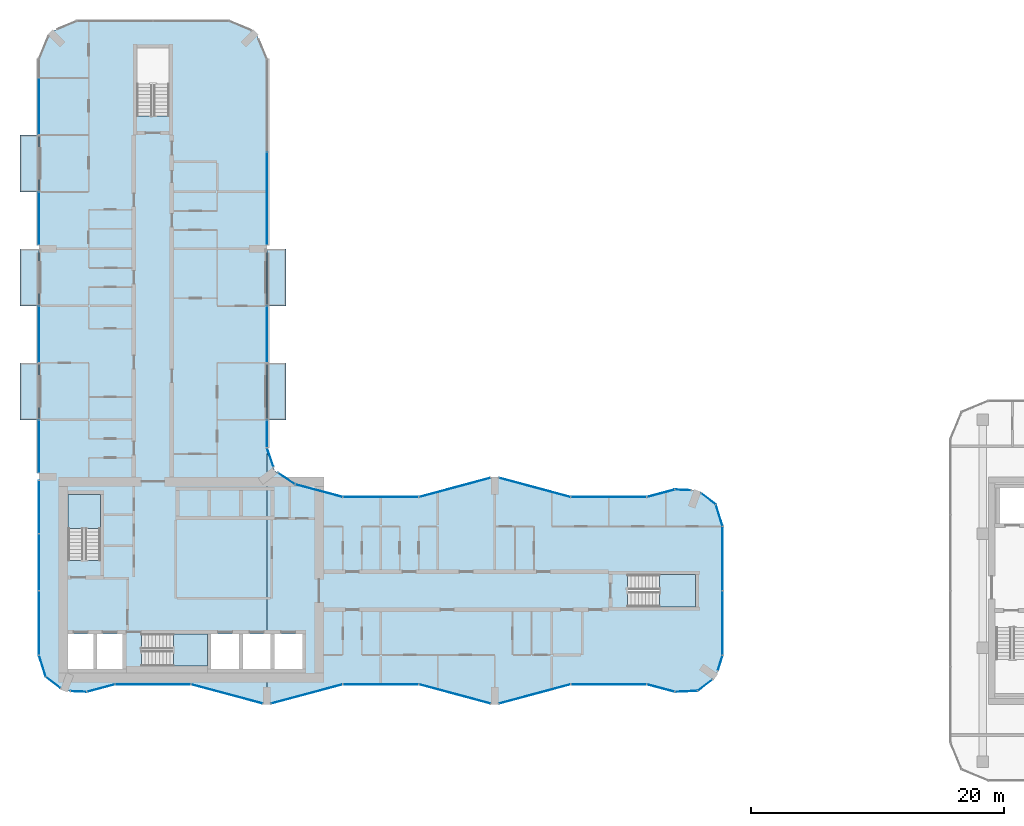
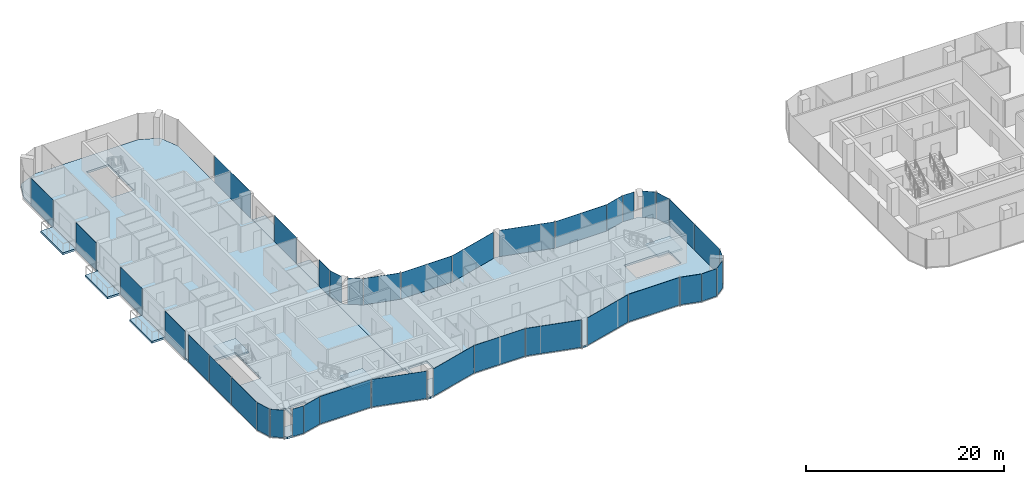
# One storey, part 11 of 23: 38 plates, 10 slabs, 38 elements without a shape of their own.
"""IFC4 building model written with IfcOpenShell, lengths in metres."""

from ifc_helpers import new_model, si_unit, direction, frame, origin, origin_2d, place, context, subcontext, project, spatial, polyline, rectangle, outline, extrude, material, layer, layer_set, type_object, element, aggregate, save


model = new_model("IFC4")

# Units and contexts
model_context = context("Model", 3, precision=1e-05, world=origin(), true_north=direction((0.0, 1.0)))
body_context = subcontext(model_context, "Body", "Model", "MODEL_VIEW")
ifc_project = project(units=[si_unit("LENGTHUNIT", "METRE"), si_unit("AREAUNIT", "SQUARE_METRE"), si_unit("VOLUMEUNIT", "CUBIC_METRE"), si_unit("PLANEANGLEUNIT", "RADIAN"), si_unit("MASSUNIT", "GRAM", prefix="KILO")], contexts=[model_context])

# Site, building, storey
site_placement = place(None, origin())
site = spatial("IfcSite", under=ifc_project, at=site_placement, CompositionType="ELEMENT")
building_placement = place(site_placement, origin())
building = spatial("IfcBuilding", under=site, at=building_placement, Name="Plateau Cross Towers", CompositionType="ELEMENT")
storey_placement = place(building_placement, frame((0.0, 0.0, 40.800048828125)))
storey = spatial("IfcBuildingStorey", under=building, at=storey_placement, Name="L09", CompositionType="ELEMENT", Elevation=40.800048828125)

# Slabs
ifc_material_1 = material(Name="Concrete C40/50", Category="concrete")
ifc_layer_1 = layer(ifc_material_1, 0.25)
ifc_layer_set_1 = layer_set([ifc_layer_1], Name="Concrete C40/50")
slab_type_1 = type_object("IfcSlabType", Name="Balcony slab 250", PredefinedType="FLOOR", material=ifc_layer_set_1)
slab_1_placement = place(storey_placement, frame((0.0, 0.0, -0.25)))
element("IfcSlab", 1, at=slab_1_placement, inside=storey, type_object=slab_type_1, Name="Balcony slab A-BAL-L09-01", PredefinedType="FLOOR", context=body_context, shape_type="SweptSolid", body=[
    extrude(outline(polyline([(0.0, 22.5), (0.0, 27.0), (-1.5, 27.0), (-1.5, 22.5), (0.0, 22.5)])), origin(), (0.0, 0.0, 1.0), 0.25),
])
slab_2_placement = place(storey_placement, frame((0.0, 0.0, -0.25)))
element("IfcSlab", 2, at=slab_2_placement, inside=storey, type_object=slab_type_1, Name="Balcony slab A-BAL-L09-02", PredefinedType="FLOOR", context=body_context, shape_type="SweptSolid", body=[
    extrude(outline(polyline([(0.0, 31.5), (0.0, 36.0), (-1.5, 36.0), (-1.5, 31.5), (0.0, 31.5)])), origin(), (0.0, 0.0, 1.0), 0.25),
])
slab_3_placement = place(storey_placement, frame((0.0, 0.0, -0.25)))
element("IfcSlab", 3, at=slab_3_placement, inside=storey, type_object=slab_type_1, Name="Balcony slab A-BAL-L09-03", PredefinedType="FLOOR", context=body_context, shape_type="SweptSolid", body=[
    extrude(outline(polyline([(0.0, 40.5), (0.0, 45.0), (-1.5, 45.0), (-1.5, 40.5), (0.0, 40.5)])), origin(), (0.0, 0.0, 1.0), 0.25),
])
slab_4_placement = place(storey_placement, frame((0.0, 0.0, -0.25)))
element("IfcSlab", 4, at=slab_4_placement, inside=storey, type_object=slab_type_1, Name="Balcony slab A-BAL-L09-04", PredefinedType="FLOOR", context=body_context, shape_type="SweptSolid", body=[
    extrude(outline(polyline([(19.5, 22.5), (19.5, 27.0), (18.0, 27.0), (18.0, 22.5), (19.5, 22.5)])), origin(), (0.0, 0.0, 1.0), 0.25),
])
slab_5_placement = place(storey_placement, frame((0.0, 0.0, -0.25)))
element("IfcSlab", 5, at=slab_5_placement, inside=storey, type_object=slab_type_1, Name="Balcony slab A-BAL-L09-05", PredefinedType="FLOOR", context=body_context, shape_type="SweptSolid", body=[
    extrude(outline(polyline([(19.5, 31.5), (19.5, 36.0), (18.0, 36.0), (18.0, 31.5), (19.5, 31.5)])), origin(), (0.0, 0.0, 1.0), 0.25),
])

# Curtain wall, plate
ifc_material_2 = material(Name="Dark low-iron glass", Category="glass")
ifc_layer_2 = layer(ifc_material_2, 0.239990234375)
ifc_layer_set_2 = layer_set([ifc_layer_2], Name="Dark low-iron glass")
curtain_wall_type_1 = type_object("IfcCurtainWallType", Name="Curtain wall flush unitised CW-B", PredefinedType="NOTDEFINED", material=ifc_layer_set_2)
curtain_wall_1_placement = place(storey_placement, origin())
curtain_wall_1 = element("IfcCurtainWall", 6, at=curtain_wall_1_placement, inside=storey, type_object=curtain_wall_type_1, Name="ENV/A/L09/A502_10", PredefinedType="NOTDEFINED")
ifc_layer_3 = layer(ifc_material_2, 0.031982421875)
ifc_layer_set_3 = layer_set([ifc_layer_3], Name="Dark low-iron glass")
plate_type_1 = type_object("IfcPlateType", Name="Glass panel 32 flush unitised", PredefinedType="CURTAIN_PANEL", material=ifc_layer_set_3)
plate_1_placement = place(storey_placement, frame((51.125, 1.05078125, -0.1298828125), z_axis=(0.0, 0.0, 1.0), x_axis=(0.999043701491, 0.043722791671, 0.0)))
plate_1 = element("IfcPlate", 7, at=plate_1_placement, type_object=plate_type_1, Name="CW-B panel 1", PredefinedType="CURTAIN_PANEL", context=body_context, shape_type="SweptSolid", body=[
    extrude(rectangle(XDim=1.744140625, YDim=0.031982421875, at=origin_2d()), origin(), (0.0, 0.0, 1.0), 3.3798828125),
])
aggregate(curtain_wall_1, [plate_1])

curtain_wall_2_placement = place(storey_placement, origin())
curtain_wall_2 = element("IfcCurtainWall", 8, at=curtain_wall_2_placement, inside=storey, type_object=curtain_wall_type_1, Name="ENV/A/L09/A520_11", PredefinedType="NOTDEFINED")
plate_2_placement = place(storey_placement, frame((52.60986328125, 1.5380859375, -0.1298828125), z_axis=(0.0, 0.0, 1.0), x_axis=(0.793315514529, 0.608810721331, 0.0)))
plate_2 = element("IfcPlate", 9, at=plate_2_placement, type_object=plate_type_1, Name="CW-B panel 1", PredefinedType="CURTAIN_PANEL", context=body_context, shape_type="SweptSolid", body=[
    extrude(rectangle(XDim=1.41162109375, YDim=0.031982421875, at=origin_2d()), origin(), (0.0, 0.0, 1.0), 3.3798828125),
])
aggregate(curtain_wall_2, [plate_2])

curtain_wall_3_placement = place(storey_placement, origin())
curtain_wall_3 = element("IfcCurtainWall", 10, at=curtain_wall_3_placement, inside=storey, type_object=curtain_wall_type_1, Name="ENV/A/L09/A536_27", PredefinedType="NOTDEFINED")
plate_3_placement = place(storey_placement, frame((53.805419921875, 3.292236328125, -0.1298828125), z_axis=(0.0, 0.0, 1.0), x_axis=(0.300686174994, 0.95372313811, 0.0)))
plate_3 = element("IfcPlate", 11, at=plate_3_placement, type_object=plate_type_1, Name="CW-B panel 1", PredefinedType="CURTAIN_PANEL", context=body_context, shape_type="SweptSolid", body=[
    extrude(rectangle(XDim=1.233642578125, YDim=0.031982421875, at=origin_2d()), origin(), (0.0, 0.0, 1.0), 3.3798828125),
])
aggregate(curtain_wall_3, [plate_3])

# Curtain wall, plates
curtain_wall_4_placement = place(storey_placement, origin())
curtain_wall_4 = element("IfcCurtainWall", 12, at=curtain_wall_4_placement, inside=storey, type_object=curtain_wall_type_1, Name="ENV/A/L09/A540_39", PredefinedType="NOTDEFINED")
plate_4_placement = place(storey_placement, frame((54.0, 6.45458984375, -0.1298828125), z_axis=(0.0, 0.0, 1.0), x_axis=(0.0, 1.0, 0.0)))
plate_4 = element("IfcPlate", 13, at=plate_4_placement, type_object=plate_type_1, Name="CW-B panel 1", PredefinedType="CURTAIN_PANEL", context=body_context, shape_type="SweptSolid", body=[
    extrude(rectangle(XDim=5.03076171875, YDim=0.031982421875, at=origin_2d()), origin(), (0.0, 0.0, 1.0), 3.3798828125),
])
plate_5_placement = place(storey_placement, frame((54.0, 11.54541015625, -0.1298828125), z_axis=(0.0, 0.0, 1.0), x_axis=(0.0, 1.0, 0.0)))
plate_5 = element("IfcPlate", 14, at=plate_5_placement, type_object=plate_type_1, Name="CW-B panel 2", PredefinedType="CURTAIN_PANEL", context=body_context, shape_type="SweptSolid", body=[
    extrude(rectangle(XDim=5.03076171875, YDim=0.031982421875, at=origin_2d()), origin(), (0.0, 0.0, 1.0), 3.3798828125),
])
aggregate(curtain_wall_4, [plate_4, plate_5])

# Curtain wall, plate
curtain_wall_5_placement = place(storey_placement, origin())
curtain_wall_5 = element("IfcCurtainWall", 15, at=curtain_wall_5_placement, inside=storey, type_object=curtain_wall_type_1, Name="ENV/A/L09/A540_141", PredefinedType="NOTDEFINED")
plate_6_placement = place(storey_placement, frame((53.728759765625, 14.951171875, -0.1298828125), z_axis=(0.0, 0.0, 1.0), x_axis=(-0.300686174994, 0.95372313811, 0.0)))
plate_6 = element("IfcPlate", 16, at=plate_6_placement, type_object=plate_type_1, Name="CW-B panel 1", PredefinedType="CURTAIN_PANEL", context=body_context, shape_type="SweptSolid", body=[
    extrude(rectangle(XDim=1.744140625, YDim=0.031982421875, at=origin_2d()), origin(), (0.0, 0.0, 1.0), 3.3798828125),
])
aggregate(curtain_wall_5, [plate_6])

curtain_wall_6_placement = place(storey_placement, origin())
curtain_wall_6 = element("IfcCurtainWall", 17, at=curtain_wall_6_placement, inside=storey, type_object=curtain_wall_type_1, Name="ENV/A/L09/A535_158", PredefinedType="NOTDEFINED")
plate_7_placement = place(storey_placement, frame((52.873779296875, 16.25927734375, -0.1298828125), z_axis=(0.0, 0.0, 1.0), x_axis=(-0.793315514529, 0.608810721331, 0.0)))
plate_7 = element("IfcPlate", 18, at=plate_7_placement, type_object=plate_type_1, Name="CW-B panel 1", PredefinedType="CURTAIN_PANEL", context=body_context, shape_type="SweptSolid", body=[
    extrude(rectangle(XDim=1.41162109375, YDim=0.031982421875, at=origin_2d()), origin(), (0.0, 0.0, 1.0), 3.3798828125),
])
aggregate(curtain_wall_6, [plate_7])

curtain_wall_7_placement = place(storey_placement, origin())
curtain_wall_7 = element("IfcCurtainWall", 19, at=curtain_wall_7_placement, inside=storey, type_object=curtain_wall_type_1, Name="ENV/A/L09/A515_169", PredefinedType="NOTDEFINED")
plate_8_placement = place(storey_placement, frame((50.8701171875, 16.96044921875, -0.1298828125), z_axis=(0.0, 0.0, 1.0), x_axis=(-0.999043701491, 0.043722791671, 0.0)))
plate_8 = element("IfcPlate", 20, at=plate_8_placement, type_object=plate_type_1, Name="CW-B panel 1", PredefinedType="CURTAIN_PANEL", context=body_context, shape_type="SweptSolid", body=[
    extrude(rectangle(XDim=1.233642578125, YDim=0.031982421875, at=origin_2d()), origin(), (0.0, 0.0, 1.0), 3.3798828125),
])
aggregate(curtain_wall_7, [plate_8])

curtain_wall_8_placement = place(storey_placement, origin())
curtain_wall_8 = element("IfcCurtainWall", 21, at=curtain_wall_8_placement, inside=storey, type_object=curtain_wall_type_1, Name="ENV/A/L09/A202_174", PredefinedType="NOTDEFINED")
plate_9_placement = place(storey_placement, frame((19.546630859375, 17.856689453125, -0.1298828125), z_axis=(0.0, 0.0, 1.0), x_axis=(-0.831521253329, 0.555492938984, 0.0)))
plate_9 = element("IfcPlate", 22, at=plate_9_placement, type_object=plate_type_1, Name="CW-B panel 1", PredefinedType="CURTAIN_PANEL", context=body_context, shape_type="SweptSolid", body=[
    extrude(rectangle(XDim=1.56884765625, YDim=0.031982421875, at=origin_2d()), origin(), (0.0, 0.0, 1.0), 3.3798828125),
])
aggregate(curtain_wall_8, [plate_9])

curtain_wall_9_placement = place(storey_placement, origin())
curtain_wall_9 = element("IfcCurtainWall", 23, at=curtain_wall_9_placement, inside=storey, type_object=curtain_wall_type_1, Name="ENV/A/L09/A185_188", PredefinedType="NOTDEFINED")
plate_10_placement = place(storey_placement, frame((18.26171875, 19.531005859375, -0.1298828125), z_axis=(0.0, 0.0, 1.0), x_axis=(-0.321469161574, 0.94692004845, 0.0)))
plate_10 = element("IfcPlate", 24, at=plate_10_placement, type_object=plate_type_1, Name="CW-B panel 1", PredefinedType="CURTAIN_PANEL", context=body_context, shape_type="SweptSolid", body=[
    extrude(rectangle(XDim=1.56884765625, YDim=0.031982421875, at=origin_2d()), origin(), (0.0, 0.0, 1.0), 3.3798828125),
])
aggregate(curtain_wall_9, [plate_10])

curtain_wall_10_placement = place(storey_placement, origin())
curtain_wall_10 = element("IfcCurtainWall", 25, at=curtain_wall_10_placement, inside=storey, type_object=curtain_wall_type_1, Name="ENV/A/L09/A180_203", PredefinedType="NOTDEFINED")
plate_11_placement = place(storey_placement, frame((18.0, 21.396240234375, -0.1298828125), z_axis=(0.0, 0.0, 1.0), x_axis=(0.0, 1.0, 0.0)))
plate_11 = element("IfcPlate", 26, at=plate_11_placement, type_object=plate_type_1, Name="CW-B panel 1", PredefinedType="CURTAIN_PANEL", context=body_context, shape_type="SweptSolid", body=[
    extrude(rectangle(XDim=2.127685546875, YDim=0.031982421875, at=origin_2d()), origin(), (0.0, 0.0, 1.0), 3.3798828125),
])
aggregate(curtain_wall_10, [plate_11])

curtain_wall_11_placement = place(storey_placement, origin())
curtain_wall_11 = element("IfcCurtainWall", 27, at=curtain_wall_11_placement, inside=storey, type_object=curtain_wall_type_1, Name="ENV/A/L09/A180_270", PredefinedType="NOTDEFINED")
plate_12_placement = place(storey_placement, frame((18.0, 29.25, -0.1298828125), z_axis=(0.0, 0.0, 1.0), x_axis=(0.0, 1.0, 0.0)))
plate_12 = element("IfcPlate", 28, at=plate_12_placement, type_object=plate_type_1, Name="CW-B panel 1", PredefinedType="CURTAIN_PANEL", context=body_context, shape_type="SweptSolid", body=[
    extrude(rectangle(XDim=4.419921875, YDim=0.031982421875, at=origin_2d()), origin(), (0.0, 0.0, 1.0), 3.3798828125),
])
aggregate(curtain_wall_11, [plate_12])

curtain_wall_12_placement = place(storey_placement, origin())
curtain_wall_12 = element("IfcCurtainWall", 29, at=curtain_wall_12_placement, inside=storey, type_object=curtain_wall_type_1, Name="ENV/A/L09/A180_363", PredefinedType="NOTDEFINED")
plate_13_placement = place(storey_placement, frame((18.0, 39.97509765625, -0.1298828125), z_axis=(0.0, 0.0, 1.0), x_axis=(0.0, 1.0, 0.0)))
plate_13 = element("IfcPlate", 30, at=plate_13_placement, type_object=plate_type_1, Name="CW-B panel 1", PredefinedType="CURTAIN_PANEL", context=body_context, shape_type="SweptSolid", body=[
    extrude(rectangle(XDim=7.2900390625, YDim=0.031982421875, at=origin_2d()), origin(), (0.0, 0.0, 1.0), 3.3798828125),
])
aggregate(curtain_wall_12, [plate_13])

curtain_wall_13_placement = place(storey_placement, origin())
curtain_wall_13 = element("IfcCurtainWall", 31, at=curtain_wall_13_placement, inside=storey, type_object=curtain_wall_type_1, Name="ENV/A/L09/A0_510", PredefinedType="NOTDEFINED")
plate_14_placement = place(storey_placement, frame((0.0, 47.2548828125, -0.1298828125), z_axis=(0.0, 0.0, 1.0), x_axis=(0.0, -1.0, 0.0)))
plate_14 = element("IfcPlate", 32, at=plate_14_placement, type_object=plate_type_1, Name="CW-B panel 2", PredefinedType="CURTAIN_PANEL", context=body_context, shape_type="SweptSolid", body=[
    extrude(rectangle(XDim=4.429931640625, YDim=0.031982421875, at=origin_2d()), origin(), (0.0, 0.0, 1.0), 3.3798828125),
])
aggregate(curtain_wall_13, [plate_14])

curtain_wall_14_placement = place(storey_placement, origin())
curtain_wall_14 = element("IfcCurtainWall", 33, at=curtain_wall_14_placement, inside=storey, type_object=curtain_wall_type_1, Name="ENV/A/L09/A0_405", PredefinedType="NOTDEFINED")
plate_15_placement = place(storey_placement, frame((0.0, 38.39501953125, -0.1298828125), z_axis=(0.0, 0.0, 1.0), x_axis=(0.0, -1.0, 0.0)))
plate_15 = element("IfcPlate", 34, at=plate_15_placement, type_object=plate_type_1, Name="CW-B panel 1", PredefinedType="CURTAIN_PANEL", context=body_context, shape_type="SweptSolid", body=[
    extrude(rectangle(XDim=4.1298828125, YDim=0.031982421875, at=origin_2d()), origin(), (0.0, 0.0, 1.0), 3.3798828125),
])
aggregate(curtain_wall_14, [plate_15])

curtain_wall_15_placement = place(storey_placement, origin())
curtain_wall_15 = element("IfcCurtainWall", 35, at=curtain_wall_15_placement, inside=storey, type_object=curtain_wall_type_1, Name="ENV/A/L09/A0_315", PredefinedType="NOTDEFINED")
plate_16_placement = place(storey_placement, frame((0.0, 29.25, -0.1298828125), z_axis=(0.0, 0.0, 1.0), x_axis=(0.0, -1.0, 0.0)))
plate_16 = element("IfcPlate", 36, at=plate_16_placement, type_object=plate_type_1, Name="CW-B panel 1", PredefinedType="CURTAIN_PANEL", context=body_context, shape_type="SweptSolid", body=[
    extrude(rectangle(XDim=4.419921875, YDim=0.031982421875, at=origin_2d()), origin(), (0.0, 0.0, 1.0), 3.3798828125),
])
aggregate(curtain_wall_15, [plate_16])

curtain_wall_16_placement = place(storey_placement, origin())
curtain_wall_16 = element("IfcCurtainWall", 37, at=curtain_wall_16_placement, inside=storey, type_object=curtain_wall_type_1, Name="ENV/A/L09/A0_225", PredefinedType="NOTDEFINED")
plate_17_placement = place(storey_placement, frame((0.0, 20.39501953125, -0.1298828125), z_axis=(0.0, 0.0, 1.0), x_axis=(0.0, -1.0, 0.0)))
plate_17 = element("IfcPlate", 38, at=plate_17_placement, type_object=plate_type_1, Name="CW-B panel 1", PredefinedType="CURTAIN_PANEL", context=body_context, shape_type="SweptSolid", body=[
    extrude(rectangle(XDim=4.1298828125, YDim=0.031982421875, at=origin_2d()), origin(), (0.0, 0.0, 1.0), 3.3798828125),
])
aggregate(curtain_wall_16, [plate_17])

# Curtain wall, plates
curtain_wall_17_placement = place(storey_placement, origin())
curtain_wall_17 = element("IfcCurtainWall", 39, at=curtain_wall_17_placement, inside=storey, type_object=curtain_wall_type_1, Name="ENV/A/L09/A0_177", PredefinedType="NOTDEFINED")
plate_18_placement = place(storey_placement, frame((0.0, 15.60009765625, -0.1298828125), z_axis=(0.0, 0.0, 1.0), x_axis=(0.0, -1.0, 0.0)))
plate_18 = element("IfcPlate", 40, at=plate_18_placement, type_object=plate_type_1, Name="CW-B panel 1", PredefinedType="CURTAIN_PANEL", context=body_context, shape_type="SweptSolid", body=[
    extrude(rectangle(XDim=4.139892578125, YDim=0.031982421875, at=origin_2d()), origin(), (0.0, 0.0, 1.0), 3.3798828125),
])
plate_19_placement = place(storey_placement, frame((0.0, 11.25, -0.1298828125), z_axis=(0.0, 0.0, 1.0), x_axis=(0.0, -1.0, 0.0)))
plate_19 = element("IfcPlate", 41, at=plate_19_placement, type_object=plate_type_1, Name="CW-B panel 2", PredefinedType="CURTAIN_PANEL", context=body_context, shape_type="SweptSolid", body=[
    extrude(rectangle(XDim=4.43994140625, YDim=0.031982421875, at=origin_2d()), origin(), (0.0, 0.0, 1.0), 3.3798828125),
])
plate_20_placement = place(storey_placement, frame((0.0, 6.45458984375, -0.1298828125), z_axis=(0.0, 0.0, 1.0), x_axis=(0.0, -1.0, 0.0)))
plate_20 = element("IfcPlate", 42, at=plate_20_placement, type_object=plate_type_1, Name="CW-B panel 3", PredefinedType="CURTAIN_PANEL", context=body_context, shape_type="SweptSolid", body=[
    extrude(rectangle(XDim=5.03076171875, YDim=0.031982421875, at=origin_2d()), origin(), (0.0, 0.0, 1.0), 3.3798828125),
])
aggregate(curtain_wall_17, [plate_18, plate_19, plate_20])

# Curtain wall, plate
curtain_wall_18_placement = place(storey_placement, origin())
curtain_wall_18 = element("IfcCurtainWall", 43, at=curtain_wall_18_placement, inside=storey, type_object=curtain_wall_type_1, Name="ENV/A/L09/A0_39", PredefinedType="NOTDEFINED")
plate_21_placement = place(storey_placement, frame((0.271240234375, 3.048828125, -0.1298828125), z_axis=(0.0, 0.0, 1.0), x_axis=(0.300686174994, -0.95372313811, 0.0)))
plate_21 = element("IfcPlate", 44, at=plate_21_placement, type_object=plate_type_1, Name="CW-B panel 1", PredefinedType="CURTAIN_PANEL", context=body_context, shape_type="SweptSolid", body=[
    extrude(rectangle(XDim=1.744140625, YDim=0.031982421875, at=origin_2d()), origin(), (0.0, 0.0, 1.0), 3.3798828125),
])
aggregate(curtain_wall_18, [plate_21])

curtain_wall_19_placement = place(storey_placement, origin())
curtain_wall_19 = element("IfcCurtainWall", 45, at=curtain_wall_19_placement, inside=storey, type_object=curtain_wall_type_1, Name="ENV/A/L09/A5_22", PredefinedType="NOTDEFINED")
plate_22_placement = place(storey_placement, frame((1.126220703125, 1.74072265625, -0.1298828125), z_axis=(0.0, 0.0, 1.0), x_axis=(0.793315514529, -0.608810721331, 0.0)))
plate_22 = element("IfcPlate", 46, at=plate_22_placement, type_object=plate_type_1, Name="CW-B panel 1", PredefinedType="CURTAIN_PANEL", context=body_context, shape_type="SweptSolid", body=[
    extrude(rectangle(XDim=1.41162109375, YDim=0.031982421875, at=origin_2d()), origin(), (0.0, 0.0, 1.0), 3.3798828125),
])
aggregate(curtain_wall_19, [plate_22])

curtain_wall_20_placement = place(storey_placement, origin())
curtain_wall_20 = element("IfcCurtainWall", 47, at=curtain_wall_20_placement, inside=storey, type_object=curtain_wall_type_1, Name="ENV/A/L09/A25_11", PredefinedType="NOTDEFINED")
plate_23_placement = place(storey_placement, frame((3.1298828125, 1.03955078125, -0.1298828125), z_axis=(0.0, 0.0, 1.0), x_axis=(0.999043701491, -0.043722791671, 0.0)))
plate_23 = element("IfcPlate", 48, at=plate_23_placement, type_object=plate_type_1, Name="CW-B panel 1", PredefinedType="CURTAIN_PANEL", context=body_context, shape_type="SweptSolid", body=[
    extrude(rectangle(XDim=1.233642578125, YDim=0.031982421875, at=origin_2d()), origin(), (0.0, 0.0, 1.0), 3.3798828125),
])
aggregate(curtain_wall_20, [plate_23])

ifc_layer_4 = layer(ifc_material_2, 0.260009765625)
ifc_layer_set_4 = layer_set([ifc_layer_4], Name="Dark low-iron glass")
curtain_wall_type_2 = type_object("IfcCurtainWallType", Name="Curtain wall fluted unitised CW-A", PredefinedType="NOTDEFINED", material=ifc_layer_set_4)
curtain_wall_21_placement = place(storey_placement, origin())
curtain_wall_21 = element("IfcCurtainWall", 49, at=curtain_wall_21_placement, inside=storey, type_object=curtain_wall_type_2, Name="ENV/A/L09/A38_10", PredefinedType="NOTDEFINED")
ifc_layer_5 = layer(ifc_material_2, 0.035888671875)
ifc_layer_set_5 = layer_set([ifc_layer_5], Name="Dark low-iron glass")
plate_type_2 = type_object("IfcPlateType", Name="Glass panel 36 fluted unitised", PredefinedType="CURTAIN_PANEL", material=ifc_layer_set_5)
plate_24_placement = place(storey_placement, frame((4.887939453125, 1.30908203125, -0.1298828125), z_axis=(0.0, 0.0, 1.0), x_axis=(0.965957962328, 0.258699081978, 0.0)))
plate_24 = element("IfcPlate", 50, at=plate_24_placement, type_object=plate_type_2, Name="CW-A panel 1", PredefinedType="CURTAIN_PANEL", context=body_context, shape_type="SweptSolid", body=[
    extrude(rectangle(XDim=2.2421875, YDim=0.035888671875, at=origin_2d()), origin(), (0.0, 0.0, 1.0), 3.3798828125),
])
aggregate(curtain_wall_21, [plate_24])

curtain_wall_22_placement = place(storey_placement, origin())
curtain_wall_22 = element("IfcCurtainWall", 51, at=curtain_wall_22_placement, inside=storey, type_object=curtain_wall_type_2, Name="ENV/A/L09/A60_16", PredefinedType="NOTDEFINED")
plate_25_placement = place(storey_placement, frame((9.0, 1.60693359375, -0.1298828125), z_axis=(0.0, 0.0, 1.0), x_axis=(1.0, 0.0, 0.0)))
plate_25 = element("IfcPlate", 52, at=plate_25_placement, type_object=plate_type_2, Name="CW-A panel 1", PredefinedType="CURTAIN_PANEL", context=body_context, shape_type="SweptSolid", body=[
    extrude(rectangle(XDim=5.93994140625, YDim=0.035888671875, at=origin_2d()), origin(), (0.0, 0.0, 1.0), 3.3798828125),
])
aggregate(curtain_wall_22, [plate_25])

curtain_wall_23_placement = place(storey_placement, origin())
curtain_wall_23 = element("IfcCurtainWall", 53, at=curtain_wall_23_placement, inside=storey, type_object=curtain_wall_type_2, Name="ENV/A/L09/A120_16", PredefinedType="NOTDEFINED")
plate_26_placement = place(storey_placement, frame((14.841064453125, 0.845947265625, -0.1298828125), z_axis=(0.0, 0.0, 1.0), x_axis=(0.965957983404, -0.258699003279, 0.0)))
plate_26 = element("IfcPlate", 54, at=plate_26_placement, type_object=plate_type_2, Name="CW-A panel 1", PredefinedType="CURTAIN_PANEL", context=body_context, shape_type="SweptSolid", body=[
    extrude(rectangle(XDim=5.822265625, YDim=0.035888671875, at=origin_2d()), origin(), (0.0, 0.0, 1.0), 3.3798828125),
])
aggregate(curtain_wall_23, [plate_26])

curtain_wall_24_placement = place(storey_placement, origin())
curtain_wall_24 = element("IfcCurtainWall", 55, at=curtain_wall_24_placement, inside=storey, type_object=curtain_wall_type_2, Name="ENV/A/L09/A183_1", PredefinedType="NOTDEFINED")
plate_27_placement = place(storey_placement, frame((21.158935546875, 0.845947265625, -0.1298828125), z_axis=(0.0, 0.0, 1.0), x_axis=(0.965957983404, 0.258699003279, 0.0)))
plate_27 = element("IfcPlate", 56, at=plate_27_placement, type_object=plate_type_2, Name="CW-A panel 1", PredefinedType="CURTAIN_PANEL", context=body_context, shape_type="SweptSolid", body=[
    extrude(rectangle(XDim=5.822265625, YDim=0.035888671875, at=origin_2d()), origin(), (0.0, 0.0, 1.0), 3.3798828125),
])
aggregate(curtain_wall_24, [plate_27])

curtain_wall_25_placement = place(storey_placement, origin())
curtain_wall_25 = element("IfcCurtainWall", 57, at=curtain_wall_25_placement, inside=storey, type_object=curtain_wall_type_2, Name="ENV/A/L09/A240_16", PredefinedType="NOTDEFINED")
plate_28_placement = place(storey_placement, frame((27.0, 1.60693359375, -0.1298828125), z_axis=(0.0, 0.0, 1.0), x_axis=(1.0, 0.0, 0.0)))
plate_28 = element("IfcPlate", 58, at=plate_28_placement, type_object=plate_type_2, Name="CW-A panel 1", PredefinedType="CURTAIN_PANEL", context=body_context, shape_type="SweptSolid", body=[
    extrude(rectangle(XDim=5.93994140625, YDim=0.035888671875, at=origin_2d()), origin(), (0.0, 0.0, 1.0), 3.3798828125),
])
aggregate(curtain_wall_25, [plate_28])

curtain_wall_26_placement = place(storey_placement, origin())
curtain_wall_26 = element("IfcCurtainWall", 59, at=curtain_wall_26_placement, inside=storey, type_object=curtain_wall_type_2, Name="ENV/A/L09/A300_16", PredefinedType="NOTDEFINED")
plate_29_placement = place(storey_placement, frame((32.841064453125, 0.845947265625, -0.1298828125), z_axis=(0.0, 0.0, 1.0), x_axis=(0.965957983404, -0.258699003279, 0.0)))
plate_29 = element("IfcPlate", 60, at=plate_29_placement, type_object=plate_type_2, Name="CW-A panel 1", PredefinedType="CURTAIN_PANEL", context=body_context, shape_type="SweptSolid", body=[
    extrude(rectangle(XDim=5.822265625, YDim=0.035888671875, at=origin_2d()), origin(), (0.0, 0.0, 1.0), 3.3798828125),
])
aggregate(curtain_wall_26, [plate_29])

curtain_wall_27_placement = place(storey_placement, origin())
curtain_wall_27 = element("IfcCurtainWall", 61, at=curtain_wall_27_placement, inside=storey, type_object=curtain_wall_type_2, Name="ENV/A/L09/A363_1", PredefinedType="NOTDEFINED")
plate_30_placement = place(storey_placement, frame((39.158935546875, 0.845947265625, -0.1298828125), z_axis=(0.0, 0.0, 1.0), x_axis=(0.965957983404, 0.258699003279, 0.0)))
plate_30 = element("IfcPlate", 62, at=plate_30_placement, type_object=plate_type_2, Name="CW-A panel 1", PredefinedType="CURTAIN_PANEL", context=body_context, shape_type="SweptSolid", body=[
    extrude(rectangle(XDim=5.822265625, YDim=0.035888671875, at=origin_2d()), origin(), (0.0, 0.0, 1.0), 3.3798828125),
])
aggregate(curtain_wall_27, [plate_30])

curtain_wall_28_placement = place(storey_placement, origin())
curtain_wall_28 = element("IfcCurtainWall", 63, at=curtain_wall_28_placement, inside=storey, type_object=curtain_wall_type_2, Name="ENV/A/L09/A420_16", PredefinedType="NOTDEFINED")
plate_31_placement = place(storey_placement, frame((45.0, 1.60693359375, -0.1298828125), z_axis=(0.0, 0.0, 1.0), x_axis=(1.0, 0.0, 0.0)))
plate_31 = element("IfcPlate", 64, at=plate_31_placement, type_object=plate_type_2, Name="CW-A panel 1", PredefinedType="CURTAIN_PANEL", context=body_context, shape_type="SweptSolid", body=[
    extrude(rectangle(XDim=5.93994140625, YDim=0.035888671875, at=origin_2d()), origin(), (0.0, 0.0, 1.0), 3.3798828125),
])
aggregate(curtain_wall_28, [plate_31])

curtain_wall_29_placement = place(storey_placement, origin())
curtain_wall_29 = element("IfcCurtainWall", 65, at=curtain_wall_29_placement, inside=storey, type_object=curtain_wall_type_2, Name="ENV/A/L09/A480_16", PredefinedType="NOTDEFINED")
plate_32_placement = place(storey_placement, frame((49.112060546875, 1.30908203125, -0.1298828125), z_axis=(0.0, 0.0, 1.0), x_axis=(0.965957962328, -0.258699081978, 0.0)))
plate_32 = element("IfcPlate", 66, at=plate_32_placement, type_object=plate_type_2, Name="CW-A panel 1", PredefinedType="CURTAIN_PANEL", context=body_context, shape_type="SweptSolid", body=[
    extrude(rectangle(XDim=2.2421875, YDim=0.035888671875, at=origin_2d()), origin(), (0.0, 0.0, 1.0), 3.3798828125),
])
aggregate(curtain_wall_29, [plate_32])

curtain_wall_30_placement = place(storey_placement, origin())
curtain_wall_30 = element("IfcCurtainWall", 67, at=curtain_wall_30_placement, inside=storey, type_object=curtain_wall_type_2, Name="ENV/A/L09/A502_170", PredefinedType="NOTDEFINED")
plate_33_placement = place(storey_placement, frame((49.112060546875, 16.69091796875, -0.1298828125), z_axis=(0.0, 0.0, 1.0), x_axis=(-0.965957962328, -0.258699081978, 0.0)))
plate_33 = element("IfcPlate", 68, at=plate_33_placement, type_object=plate_type_2, Name="CW-A panel 1", PredefinedType="CURTAIN_PANEL", context=body_context, shape_type="SweptSolid", body=[
    extrude(rectangle(XDim=2.2421875, YDim=0.035888671875, at=origin_2d()), origin(), (0.0, 0.0, 1.0), 3.3798828125),
])
aggregate(curtain_wall_30, [plate_33])

curtain_wall_31_placement = place(storey_placement, origin())
curtain_wall_31 = element("IfcCurtainWall", 69, at=curtain_wall_31_placement, inside=storey, type_object=curtain_wall_type_2, Name="ENV/A/L09/A480_164", PredefinedType="NOTDEFINED")
plate_34_placement = place(storey_placement, frame((45.0, 16.39306640625, -0.1298828125), z_axis=(0.0, 0.0, 1.0), x_axis=(-1.0, 0.0, 0.0)))
plate_34 = element("IfcPlate", 70, at=plate_34_placement, type_object=plate_type_2, Name="CW-A panel 1", PredefinedType="CURTAIN_PANEL", context=body_context, shape_type="SweptSolid", body=[
    extrude(rectangle(XDim=5.93994140625, YDim=0.035888671875, at=origin_2d()), origin(), (0.0, 0.0, 1.0), 3.3798828125),
])
aggregate(curtain_wall_31, [plate_34])

curtain_wall_32_placement = place(storey_placement, origin())
curtain_wall_32 = element("IfcCurtainWall", 71, at=curtain_wall_32_placement, inside=storey, type_object=curtain_wall_type_2, Name="ENV/A/L09/A420_164", PredefinedType="NOTDEFINED")
plate_35_placement = place(storey_placement, frame((39.158935546875, 17.154052734375, -0.1298828125), z_axis=(0.0, 0.0, 1.0), x_axis=(-0.965957983404, 0.258699003279, 0.0)))
plate_35 = element("IfcPlate", 72, at=plate_35_placement, type_object=plate_type_2, Name="CW-A panel 1", PredefinedType="CURTAIN_PANEL", context=body_context, shape_type="SweptSolid", body=[
    extrude(rectangle(XDim=5.822265625, YDim=0.035888671875, at=origin_2d()), origin(), (0.0, 0.0, 1.0), 3.3798828125),
])
aggregate(curtain_wall_32, [plate_35])

curtain_wall_33_placement = place(storey_placement, origin())
curtain_wall_33 = element("IfcCurtainWall", 73, at=curtain_wall_33_placement, inside=storey, type_object=curtain_wall_type_2, Name="ENV/A/L09/A357_179", PredefinedType="NOTDEFINED")
plate_36_placement = place(storey_placement, frame((32.841064453125, 17.154052734375, -0.1298828125), z_axis=(0.0, 0.0, 1.0), x_axis=(-0.965957983404, -0.258699003279, 0.0)))
plate_36 = element("IfcPlate", 74, at=plate_36_placement, type_object=plate_type_2, Name="CW-A panel 1", PredefinedType="CURTAIN_PANEL", context=body_context, shape_type="SweptSolid", body=[
    extrude(rectangle(XDim=5.822265625, YDim=0.035888671875, at=origin_2d()), origin(), (0.0, 0.0, 1.0), 3.3798828125),
])
aggregate(curtain_wall_33, [plate_36])

curtain_wall_34_placement = place(storey_placement, origin())
curtain_wall_34 = element("IfcCurtainWall", 75, at=curtain_wall_34_placement, inside=storey, type_object=curtain_wall_type_2, Name="ENV/A/L09/A300_164", PredefinedType="NOTDEFINED")
plate_37_placement = place(storey_placement, frame((27.0, 16.39306640625, -0.1298828125), z_axis=(0.0, 0.0, 1.0), x_axis=(-1.0, 0.0, 0.0)))
plate_37 = element("IfcPlate", 76, at=plate_37_placement, type_object=plate_type_2, Name="CW-A panel 1", PredefinedType="CURTAIN_PANEL", context=body_context, shape_type="SweptSolid", body=[
    extrude(rectangle(XDim=5.93994140625, YDim=0.035888671875, at=origin_2d()), origin(), (0.0, 0.0, 1.0), 3.3798828125),
])
aggregate(curtain_wall_34, [plate_37])

curtain_wall_35_placement = place(storey_placement, origin())
curtain_wall_35 = element("IfcCurtainWall", 77, at=curtain_wall_35_placement, inside=storey, type_object=curtain_wall_type_2, Name="ENV/A/L09/A240_164", PredefinedType="NOTDEFINED")
plate_38_placement = place(storey_placement, frame((22.112060546875, 16.898681640625, -0.1298828125), z_axis=(0.0, 0.0, 1.0), x_axis=(-0.965957995816, 0.258698956933, 0.0)))
plate_38 = element("IfcPlate", 78, at=plate_38_placement, type_object=plate_type_2, Name="CW-A panel 1", PredefinedType="CURTAIN_PANEL", context=body_context, shape_type="SweptSolid", body=[
    extrude(rectangle(XDim=3.84912109375, YDim=0.035888671875, at=origin_2d()), origin(), (0.0, 0.0, 1.0), 3.3798828125),
])
aggregate(curtain_wall_35, [plate_38])

# Slabs
ifc_layer_6 = layer(ifc_material_1, 0.25)
ifc_layer_set_6 = layer_set([ifc_layer_6], Name="Concrete C40/50")
slab_type_2 = type_object("IfcSlabType", Name="Post-tensioned flat plate slab 250", PredefinedType="FLOOR", material=ifc_layer_set_6)
slab_6_placement = place(storey_placement, frame((0.0, 0.0, -0.25)))
element("IfcSlab", 79, at=slab_6_placement, inside=storey, type_object=slab_type_2, Name="SL-A-L09 1", PredefinedType="FLOOR", context=body_context, shape_type="SweptSolid", body=[
    extrude(outline(polyline([(0.54248046875, 2.1884765625), (0.0, 3.9091796875), (0.0, 51.0), (0.878662109375, 53.121337890625), (3.0, 54.0), (15.0, 54.0), (17.121337890625, 53.121337890625), (18.0, 51.0), (18.0, 20.30224609375), (18.0, 5.60009765625), (16.10009765625, 5.60009765625), (16.10009765625, 2.800048828125), (18.0, 2.800048828125), (18.0, 0.0), (12.0, 1.60693359375), (6.0, 1.60693359375), (3.776123046875, 1.01123046875), (1.9736328125, 1.090087890625), (0.54248046875, 2.1884765625)]), holes=[polyline([(4.300048828125, 5.60009765625), (2.300048828125, 5.60009765625), (2.300048828125, 2.800048828125), (4.300048828125, 2.800048828125), (4.300048828125, 5.60009765625)]), polyline([(6.60009765625, 5.60009765625), (4.60009765625, 5.60009765625), (4.60009765625, 2.800048828125), (6.60009765625, 2.800048828125), (6.60009765625, 5.60009765625)]), polyline([(15.800048828125, 5.60009765625), (13.60009765625, 5.60009765625), (13.60009765625, 2.800048828125), (15.800048828125, 2.800048828125), (15.800048828125, 5.60009765625)]), polyline([(13.300048828125, 5.60009765625), (8.10009765625, 5.60009765625), (8.10009765625, 3.050048828125), (13.300048828125, 3.050048828125), (13.300048828125, 5.60009765625)]), polyline([(4.85009765625, 16.60009765625), (2.300048828125, 16.60009765625), (2.300048828125, 11.39990234375), (4.85009765625, 11.39990234375), (4.85009765625, 16.60009765625)]), polyline([(7.72509765625, 51.699951171875), (7.72509765625, 46.5), (10.27490234375, 46.5), (10.27490234375, 51.699951171875), (7.72509765625, 51.699951171875)])]), origin(), (0.0, 0.0, 1.0), 0.25),
])
slab_7_placement = place(storey_placement, frame((0.0, 0.0, -0.25)))
element("IfcSlab", 80, at=slab_7_placement, inside=storey, type_object=slab_type_2, Name="SL-A-L09 2", PredefinedType="FLOOR", context=body_context, shape_type="SweptSolid", body=[
    extrude(outline(polyline([(18.6201171875, 18.475830078125), (20.223876953125, 17.404296875), (24.0, 16.39306640625), (30.0, 16.39306640625), (36.0, 18.0), (42.0, 16.39306640625), (48.0, 16.39306640625), (50.223876953125, 16.98876953125), (52.0263671875, 16.909912109375), (53.45751953125, 15.8115234375), (54.0, 14.0908203125), (54.0, 3.9091796875), (53.45751953125, 2.1884765625), (52.0263671875, 1.090087890625), (50.223876953125, 1.01123046875), (48.0, 1.60693359375), (42.0, 1.60693359375), (36.0, 0.0), (30.0, 1.60693359375), (24.0, 1.60693359375), (18.0, 0.0), (18.0, 2.800048828125), (18.300048828125, 2.800048828125), (18.300048828125, 5.60009765625), (18.0, 5.60009765625), (18.0, 20.30224609375), (18.6201171875, 18.475830078125)]), holes=[polyline([(20.800048828125, 5.60009765625), (18.60009765625, 5.60009765625), (18.60009765625, 2.800048828125), (20.800048828125, 2.800048828125), (20.800048828125, 5.60009765625)]), polyline([(51.699951171875, 7.72509765625), (51.699951171875, 10.27490234375), (46.5, 10.27490234375), (46.5, 7.72509765625), (51.699951171875, 7.72509765625)])]), origin(), (0.0, 0.0, 1.0), 0.25),
])

# Stair, slab
stair_type = type_object("IfcStairType", Name="ST-TWR", PredefinedType="HALF_TURN_STAIR", material=ifc_material_1)
stair_1_placement = place(storey_placement, origin())
stair_1 = element("IfcStair", 81, at=stair_1_placement, inside=storey, type_object=stair_type, Name="L09 Protected Exit Stair ST-1", PredefinedType="HALF_TURN_STAIR")
ifc_layer_7 = layer(ifc_material_1, 0.199951171875)
ifc_layer_set_7 = layer_set([ifc_layer_7], Name="Concrete C40/50")
slab_type_3 = type_object("IfcSlabType", Name="SL-LANDING", PredefinedType="LANDING", material=ifc_layer_set_7)
slab_8_placement = place(storey_placement, frame((0.0, 0.0, 1.550048828125)))
slab_8 = element("IfcSlab", 82, at=slab_8_placement, type_object=slab_type_3, Name="ST-1 landing 1", PredefinedType="LANDING", context=body_context, shape_type="SweptSolid", body=[
    extrude(outline(polyline([(4.85009765625, 13.919921875), (4.85009765625, 16.60009765625), (2.300048828125, 16.60009765625), (2.300048828125, 13.919921875), (4.85009765625, 13.919921875)])), origin(), (0.0, 0.0, 1.0), 0.199951171875),
])
aggregate(stair_1, [slab_8])

stair_2_placement = place(storey_placement, origin())
stair_2 = element("IfcStair", 83, at=stair_2_placement, inside=storey, type_object=stair_type, Name="L09 Protected Exit Stair ST-2", PredefinedType="HALF_TURN_STAIR")
slab_9_placement = place(storey_placement, frame((0.0, 0.0, 1.550048828125)))
slab_9 = element("IfcSlab", 84, at=slab_9_placement, type_object=slab_type_3, Name="ST-2 landing 1", PredefinedType="LANDING", context=body_context, shape_type="SweptSolid", body=[
    extrude(outline(polyline([(10.6201171875, 3.050048828125), (13.300048828125, 3.050048828125), (13.300048828125, 5.60009765625), (10.6201171875, 5.60009765625), (10.6201171875, 3.050048828125)])), origin(), (0.0, 0.0, 1.0), 0.199951171875),
])
aggregate(stair_2, [slab_9])

stair_3_placement = place(storey_placement, origin())
stair_3 = element("IfcStair", 85, at=stair_3_placement, inside=storey, type_object=stair_type, Name="L09 Protected Exit Stair E", PredefinedType="HALF_TURN_STAIR")
slab_10_placement = place(storey_placement, frame((0.0, 0.0, 1.550048828125)))
slab_10 = element("IfcSlab", 86, at=slab_10_placement, type_object=slab_type_3, Name="ES-E landing 1", PredefinedType="LANDING", context=body_context, shape_type="SweptSolid", body=[
    extrude(outline(polyline([(49.02001953125, 7.72509765625), (51.85009765625, 7.72509765625), (51.85009765625, 10.27490234375), (49.02001953125, 10.27490234375), (49.02001953125, 7.72509765625)])), origin(), (0.0, 0.0, 1.0), 0.199951171875),
])
aggregate(stair_3, [slab_10])

save(model, "model.ifc")
